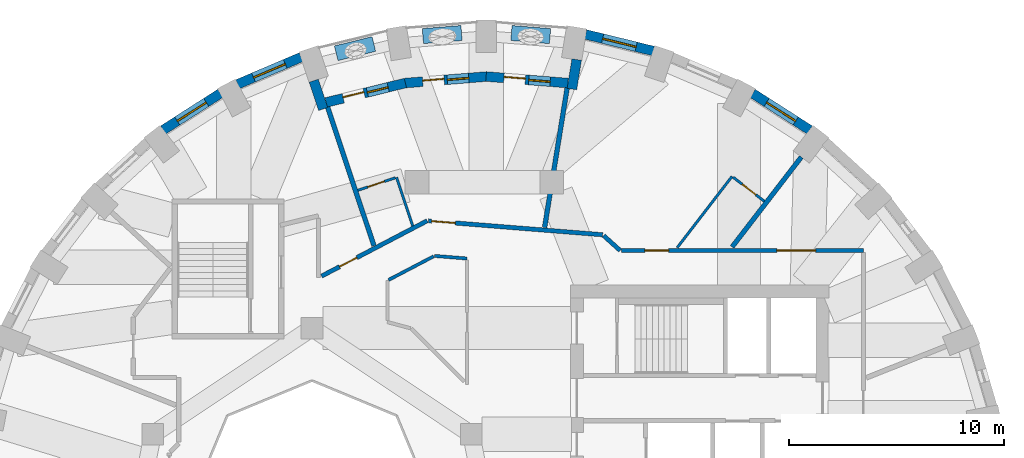
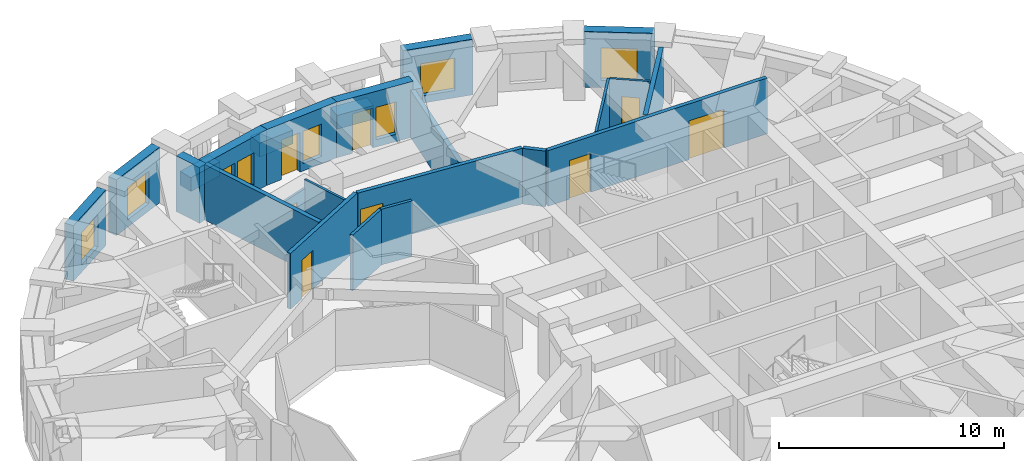
# One storey, part 7 of 11: 25 walls, 9 doors, 7 windows, 16 openings.
"""IFC4 building model written with IfcOpenShell, lengths in metres."""

from ifc_helpers import new_model, si_unit, direction, frame, frame_2d, origin, place, context, subcontext, project, spatial, rectangle, extrude, material, layer, layer_set, constituent, constituent_set, type_object, element, fill, save


model = new_model("IFC4")

# Units and contexts
model_context = context("Model", 3, precision=1e-05, world=origin(), true_north=direction((0.0, 1.0)))
body_context = subcontext(model_context, "Body", "Model", "MODEL_VIEW")
ifc_project = project(units=[si_unit("LENGTHUNIT", "METRE"), si_unit("AREAUNIT", "SQUARE_METRE"), si_unit("VOLUMEUNIT", "CUBIC_METRE"), si_unit("PLANEANGLEUNIT", "RADIAN"), si_unit("MASSUNIT", "GRAM", prefix="KILO")], contexts=[model_context])

# Site, building, storey
site_placement = place(None, origin())
site = spatial("IfcSite", under=ifc_project, at=site_placement, CompositionType="ELEMENT")
building_placement = place(site_placement, origin())
building = spatial("IfcBuilding", under=site, at=building_placement, Name="Taillehof Tower", CompositionType="ELEMENT")
storey_placement = place(building_placement, frame((0.0, 0.0, 174.800048828125)))
storey = spatial("IfcBuildingStorey", under=building, at=storey_placement, Name="L49", CompositionType="ELEMENT", Elevation=174.800048828125)

# Wall, opening, window
ifc_material_1 = material(Name="Brick masonry", Category="masonry")
ifc_layer_1 = layer(ifc_material_1, 0.449951171875)
ifc_layer_set_1 = layer_set([ifc_layer_1], Name="Brick infill wall 450")
wall_type_1 = type_object("IfcWallType", Name="Brick infill wall 450", PredefinedType="SOLIDWALL", material=ifc_layer_set_1)
wall_1_placement = place(storey_placement, frame((15.1083984375, 17.193359375, 0.0), z_axis=(0.0, 0.0, 1.0), x_axis=(-0.842030726237, 0.539429565442, 0.0)))
wall_1 = element("IfcWall", 1, at=wall_1_placement, inside=storey, type_object=wall_type_1, Name="Brick wall L49 bay 6", PredefinedType="SOLIDWALL", context=body_context, shape_type="SweptSolid", body=[
    extrude(rectangle(XDim=3.1513671875, YDim=0.449951171875, at=frame_2d((1.57568359375, 0.0))), origin(), (0.0, 0.0, 1.0), 3.02001953125),
])
opening_1_placement = place(wall_1_placement, frame((0.775634765625, 0.0, 0.39990234375)))
opening_1 = element("IfcOpeningElement", 2, at=opening_1_placement, cuts=wall_1, Name="Opening W3", PredefinedType="OPENING", context=body_context, shape_type="SweptSolid", body=[
    extrude(rectangle(XDim=1.60009765625, YDim=1.75, at=frame_2d((0.800048828125, 0.875))), frame((0.0, 0.23486328125, 0.0), z_axis=(0.0, -1.0, 0.0), x_axis=(1.0, 0.0, 0.0)), (0.0, 0.0, 1.0), 0.469970703125),
])
ifc_material_2 = material(Name="Aluminium window frame with clear double glazing", Category="aluminium")
window_type_1 = type_object("IfcWindowType", Name="Deep-set window 1600x1750", PartitioningType="SINGLE_PANEL", PredefinedType="WINDOW", material=ifc_material_2)
window_1_placement = place(opening_1_placement, origin())
window_1 = element("IfcWindow", 3, at=window_1_placement, inside=storey, type_object=window_type_1, Name="W3", OverallHeight=1.75, OverallWidth=1.60009765625, PartitioningType="SINGLE_PANEL", PredefinedType="WINDOW", context=body_context, shape_type="SweptSolid", body=[
    extrude(rectangle(XDim=1.60009765625, YDim=1.75, at=frame_2d((0.800048828125, 0.875))), frame((0.0, 0.034912109375, 0.0), z_axis=(0.0, -1.0, 0.0), x_axis=(1.0, 0.0, 0.0)), (0.0, 0.0, 1.0), 0.06005859375),
])
fill(opening_1, window_1)

wall_2_placement = place(storey_placement, frame((7.843017578125, 20.8623046875, 0.0), z_axis=(0.0, 0.0, 1.0), x_axis=(-0.971237178372, 0.238114139328, 0.0)))
wall_2 = element("IfcWall", 4, at=wall_2_placement, inside=storey, type_object=wall_type_1, Name="Brick wall L49 bay 8", PredefinedType="SOLIDWALL", context=body_context, shape_type="SweptSolid", body=[
    extrude(rectangle(XDim=3.23681640625, YDim=0.449951171875, at=frame_2d((1.618408203125, 0.0))), origin(), (0.0, 0.0, 1.0), 3.02001953125),
])
opening_2_placement = place(wall_2_placement, frame((0.818359375, 0.0, 0.39990234375)))
opening_2 = element("IfcOpeningElement", 5, at=opening_2_placement, cuts=wall_2, Name="Opening W3", PredefinedType="OPENING", context=body_context, shape_type="SweptSolid", body=[
    extrude(rectangle(XDim=1.60009765625, YDim=1.75, at=frame_2d((0.800048828125, 0.875))), frame((0.0, 0.23486328125, 0.0), z_axis=(0.0, -1.0, 0.0), x_axis=(1.0, 0.0, 0.0)), (0.0, 0.0, 1.0), 0.469970703125),
])
window_2_placement = place(opening_2_placement, origin())
window_2 = element("IfcWindow", 6, at=window_2_placement, inside=storey, type_object=window_type_1, Name="W3", OverallHeight=1.75, OverallWidth=1.60009765625, PartitioningType="SINGLE_PANEL", PredefinedType="WINDOW", context=body_context, shape_type="SweptSolid", body=[
    extrude(rectangle(XDim=1.60009765625, YDim=1.75, at=frame_2d((0.800048828125, 0.875))), frame((0.0, 0.034912109375, 0.0), z_axis=(0.0, -1.0, 0.0), x_axis=(1.0, 0.0, 0.0)), (0.0, 0.0, 1.0), 0.06005859375),
])
fill(opening_2, window_2)

wall_3_placement = place(storey_placement, frame((-8.50634765625, 20.574462890625, 0.0), z_axis=(0.0, 0.0, 1.0), x_axis=(-0.919798725687, -0.392390499663, 0.0)))
wall_3 = element("IfcWall", 7, at=wall_3_placement, inside=storey, type_object=wall_type_1, Name="Brick wall L49 bay 12", PredefinedType="SOLIDWALL", context=body_context, shape_type="SweptSolid", body=[
    extrude(rectangle(XDim=3.200439453125, YDim=0.449951171875, at=frame_2d((1.60009765625, 0.0))), origin(), (0.0, 0.0, 1.0), 3.02001953125),
])
opening_3_placement = place(wall_3_placement, frame((0.80029296875, 0.0, 0.39990234375)))
opening_3 = element("IfcOpeningElement", 8, at=opening_3_placement, cuts=wall_3, Name="Opening W3", PredefinedType="OPENING", context=body_context, shape_type="SweptSolid", body=[
    extrude(rectangle(XDim=1.60009765625, YDim=1.75, at=frame_2d((0.800048828125, 0.875))), frame((0.0, 0.23486328125, 0.0), z_axis=(0.0, -1.0, 0.0), x_axis=(1.0, 0.0, 0.0)), (0.0, 0.0, 1.0), 0.469970703125),
])
window_3_placement = place(opening_3_placement, origin())
window_3 = element("IfcWindow", 9, at=window_3_placement, inside=storey, type_object=window_type_1, Name="W3", OverallHeight=1.75, OverallWidth=1.60009765625, PartitioningType="SINGLE_PANEL", PredefinedType="WINDOW", context=body_context, shape_type="SweptSolid", body=[
    extrude(rectangle(XDim=1.60009765625, YDim=1.75, at=frame_2d((0.800048828125, 0.875))), frame((0.0, 0.034912109375, 0.0), z_axis=(0.0, -1.0, 0.0), x_axis=(1.0, 0.0, 0.0)), (0.0, 0.0, 1.0), 0.06005859375),
])
fill(opening_3, window_3)

wall_4_placement = place(storey_placement, frame((-12.2548828125, 18.893310546875, 0.0), z_axis=(0.0, 0.0, 1.0), x_axis=(-0.842030726237, -0.539429565442, 0.0)))
wall_4 = element("IfcWall", 10, at=wall_4_placement, inside=storey, type_object=wall_type_1, Name="Brick wall L49 bay 13", PredefinedType="SOLIDWALL", context=body_context, shape_type="SweptSolid", body=[
    extrude(rectangle(XDim=3.1513671875, YDim=0.449951171875, at=frame_2d((1.57568359375, 0.0))), origin(), (0.0, 0.0, 1.0), 3.02001953125),
])
opening_4_placement = place(wall_4_placement, frame((0.775634765625, 0.0, 0.39990234375)))
opening_4 = element("IfcOpeningElement", 11, at=opening_4_placement, cuts=wall_4, Name="Opening W3", PredefinedType="OPENING", context=body_context, shape_type="SweptSolid", body=[
    extrude(rectangle(XDim=1.60009765625, YDim=1.75, at=frame_2d((0.800048828125, 0.875))), frame((0.0, 0.23486328125, 0.0), z_axis=(0.0, -1.0, 0.0), x_axis=(1.0, 0.0, 0.0)), (0.0, 0.0, 1.0), 0.469970703125),
])
window_4_placement = place(opening_4_placement, origin())
window_4 = element("IfcWindow", 12, at=window_4_placement, inside=storey, type_object=window_type_1, Name="W3", OverallHeight=1.75, OverallWidth=1.60009765625, PartitioningType="SINGLE_PANEL", PredefinedType="WINDOW", context=body_context, shape_type="SweptSolid", body=[
    extrude(rectangle(XDim=1.60009765625, YDim=1.75, at=frame_2d((0.800048828125, 0.875))), frame((0.0, 0.034912109375, 0.0), z_axis=(0.0, -1.0, 0.0), x_axis=(1.0, 0.0, 0.0)), (0.0, 0.0, 1.0), 0.06005859375),
])
fill(opening_4, window_4)

# Walls
wall_5_placement = place(storey_placement, frame((4.2880859375, 20.4658203125, 0.0), z_axis=(0.0, 0.0, 1.0), x_axis=(-0.159668705775, -0.987170656166, 0.0)))
element("IfcWall", 13, at=wall_5_placement, inside=storey, type_object=wall_type_1, Name="Brick reveal L49 pocket 2", PredefinedType="SOLIDWALL", context=body_context, shape_type="SweptSolid", body=[
    extrude(rectangle(XDim=1.389892578125, YDim=0.449951171875, at=frame_2d((0.69482421875, 0.0))), origin(), (0.0, 0.0, 1.0), 2.570068359375),
])
wall_6_placement = place(storey_placement, frame((-7.921630859375, 19.486328125, 0.0), z_axis=(0.0, 0.0, 1.0), x_axis=(0.316649231286, -0.948542705589, 0.0)))
element("IfcWall", 14, at=wall_6_placement, inside=storey, type_object=wall_type_1, Name="Brick reveal L49 pocket 2", PredefinedType="SOLIDWALL", context=body_context, shape_type="SweptSolid", body=[
    extrude(rectangle(XDim=1.39013671875, YDim=0.449951171875, at=frame_2d((0.695068359375, 0.0))), origin(), (0.0, 0.0, 1.0), 3.02001953125),
])

# Wall, openings, door, window
wall_7_placement = place(storey_placement, frame((3.883056640625, 19.37060546875, 0.0), z_axis=(0.0, 0.0, 1.0), x_axis=(-0.996792437449, 0.080030223316, 0.0)))
wall_7 = element("IfcWall", 15, at=wall_7_placement, inside=storey, type_object=wall_type_1, Name="Brick wall L49 pocket bay 9", PredefinedType="SOLIDWALL", context=body_context, shape_type="SweptSolid", body=[
    extrude(rectangle(XDim=3.813232421875, YDim=0.449951171875, at=frame_2d((1.90673828125, 0.0))), origin(), (0.0, 0.0, 1.0), 3.02001953125),
])
opening_5_placement = place(wall_7_placement, frame((0.83154296875, 0.0, 0.39990234375)))
opening_5 = element("IfcOpeningElement", 16, at=opening_5_placement, cuts=wall_7, Name="Opening W5", PredefinedType="OPENING", context=body_context, shape_type="SweptSolid", body=[
    extrude(rectangle(XDim=1.0, YDim=1.75, at=frame_2d((0.5, 0.875))), frame((0.0, 0.23486328125, 0.0), z_axis=(0.0, -1.0, 0.0), x_axis=(1.0, 0.0, 0.0)), (0.0, 0.0, 1.0), 0.469970703125),
])
opening_6_placement = place(wall_7_placement, frame((1.981689453125, 0.0, 0.0)))
opening_6 = element("IfcOpeningElement", 17, at=opening_6_placement, cuts=wall_7, Name="Opening D4994", PredefinedType="OPENING", context=body_context, shape_type="SweptSolid", body=[
    extrude(rectangle(XDim=1.0, YDim=2.14990234375, at=frame_2d((0.5, 1.074951171875))), frame((0.0, 0.23486328125, 0.0), z_axis=(0.0, -1.0, 0.0), x_axis=(1.0, 0.0, 0.0)), (0.0, 0.0, 1.0), 0.469970703125),
])
ifc_material_3 = material(Name="Aluminium door frame with clear double glazing", Category="aluminium")
door_type_1 = type_object("IfcDoorType", Name="Balcony door 1000x2150", OperationType="SINGLE_SWING_RIGHT", PredefinedType="DOOR", material=ifc_material_3)
door_1_placement = place(opening_6_placement, frame((1.0, 0.0, 0.0), z_axis=(0.0, 0.0, 1.0), x_axis=(-1.0, 0.0, 0.0)))
door_1 = element("IfcDoor", 18, at=door_1_placement, inside=storey, type_object=door_type_1, Name="Balcony door L49 bay 9", OperationType="SINGLE_SWING_RIGHT", OverallHeight=2.14990234375, OverallWidth=1.0, PredefinedType="DOOR", context=body_context, shape_type="SweptSolid", body=[
    extrude(rectangle(XDim=1.0, YDim=2.14990234375, at=frame_2d((0.5, 1.074951171875))), frame((0.0, 0.0751953125, 0.0), z_axis=(0.0, -1.0, 0.0), x_axis=(1.0, 0.0, 0.0)), (0.0, 0.0, 1.0), 0.050048828125),
])
fill(opening_6, door_1)
ifc_material_4 = material(Name="Aluminium window frame with clear double glazing", Category="aluminium")
window_type_2 = type_object("IfcWindowType", Name="Fixed window 1000x1750", PartitioningType="SINGLE_PANEL", PredefinedType="WINDOW", material=ifc_material_4)
window_5_placement = place(opening_5_placement, origin())
window_5 = element("IfcWindow", 19, at=window_5_placement, inside=storey, type_object=window_type_2, Name="W5", OverallHeight=1.75, OverallWidth=1.0, PartitioningType="SINGLE_PANEL", PredefinedType="WINDOW", context=body_context, shape_type="SweptSolid", body=[
    extrude(rectangle(XDim=1.0, YDim=1.75, at=frame_2d((0.5, 0.875))), frame((0.0, 0.034912109375, 0.0), z_axis=(0.0, -1.0, 0.0), x_axis=(1.0, 0.0, 0.0)), (0.0, 0.0, 1.0), 0.06005859375),
])
fill(opening_5, window_5)

wall_8_placement = place(storey_placement, frame((0.117919921875, 19.67578125, 0.0), z_axis=(0.0, 0.0, 1.0), x_axis=(-0.996792139022, -0.080033940204, 0.0)))
wall_8 = element("IfcWall", 20, at=wall_8_placement, inside=storey, type_object=wall_type_1, Name="Brick wall L49 pocket bay 10", PredefinedType="SOLIDWALL", context=body_context, shape_type="SweptSolid", body=[
    extrude(rectangle(XDim=3.831298828125, YDim=0.449951171875, at=frame_2d((1.91552734375, 0.0))), origin(), (0.0, 0.0, 1.0), 3.02001953125),
])
opening_7_placement = place(wall_8_placement, frame((0.840576171875, 0.0, 0.39990234375)))
opening_7 = element("IfcOpeningElement", 21, at=opening_7_placement, cuts=wall_8, Name="Opening W5", PredefinedType="OPENING", context=body_context, shape_type="SweptSolid", body=[
    extrude(rectangle(XDim=1.0, YDim=1.75, at=frame_2d((0.5, 0.875))), frame((0.0, 0.23486328125, 0.0), z_axis=(0.0, -1.0, 0.0), x_axis=(1.0, 0.0, 0.0)), (0.0, 0.0, 1.0), 0.469970703125),
])
opening_8_placement = place(wall_8_placement, frame((1.99072265625, 0.0, 0.0)))
opening_8 = element("IfcOpeningElement", 22, at=opening_8_placement, cuts=wall_8, Name="Opening D4995", PredefinedType="OPENING", context=body_context, shape_type="SweptSolid", body=[
    extrude(rectangle(XDim=1.0, YDim=2.14990234375, at=frame_2d((0.5, 1.074951171875))), frame((0.0, 0.23486328125, 0.0), z_axis=(0.0, -1.0, 0.0), x_axis=(1.0, 0.0, 0.0)), (0.0, 0.0, 1.0), 0.469970703125),
])
door_2_placement = place(opening_8_placement, frame((1.0, 0.0, 0.0), z_axis=(0.0, 0.0, 1.0), x_axis=(-1.0, 0.0, 0.0)))
door_2 = element("IfcDoor", 23, at=door_2_placement, inside=storey, type_object=door_type_1, Name="Balcony door L49 bay 10", OperationType="SINGLE_SWING_LEFT", OverallHeight=2.14990234375, OverallWidth=1.0, PredefinedType="DOOR", context=body_context, shape_type="SweptSolid", body=[
    extrude(rectangle(XDim=1.0, YDim=2.14990234375, at=frame_2d((0.5, 1.074951171875))), frame((0.0, 0.0751953125, 0.0), z_axis=(0.0, -1.0, 0.0), x_axis=(1.0, 0.0, 0.0)), (0.0, 0.0, 1.0), 0.050048828125),
])
fill(opening_8, door_2)
window_6_placement = place(opening_7_placement, origin())
window_6 = element("IfcWindow", 24, at=window_6_placement, inside=storey, type_object=window_type_2, Name="W5", OverallHeight=1.75, OverallWidth=1.0, PartitioningType="SINGLE_PANEL", PredefinedType="WINDOW", context=body_context, shape_type="SweptSolid", body=[
    extrude(rectangle(XDim=1.0, YDim=1.75, at=frame_2d((0.5, 0.875))), frame((0.0, 0.034912109375, 0.0), z_axis=(0.0, -1.0, 0.0), x_axis=(1.0, 0.0, 0.0)), (0.0, 0.0, 1.0), 0.06005859375),
])
fill(opening_7, window_6)

wall_9_placement = place(storey_placement, frame((-3.665283203125, 19.375, 0.0), z_axis=(0.0, 0.0, 1.0), x_axis=(-0.97110866251, -0.238637728782, 0.0)))
wall_9 = element("IfcWall", 25, at=wall_9_placement, inside=storey, type_object=wall_type_1, Name="Brick wall L49 pocket bay 11", PredefinedType="SOLIDWALL", context=body_context, shape_type="SweptSolid", body=[
    extrude(rectangle(XDim=3.789306640625, YDim=0.449951171875, at=frame_2d((1.89453125, 0.0))), origin(), (0.0, 0.0, 1.0), 3.02001953125),
])
opening_9_placement = place(wall_9_placement, frame((0.81982421875, 0.0, 0.39990234375)))
opening_9 = element("IfcOpeningElement", 26, at=opening_9_placement, cuts=wall_9, Name="Opening W5", PredefinedType="OPENING", context=body_context, shape_type="SweptSolid", body=[
    extrude(rectangle(XDim=1.0, YDim=1.75, at=frame_2d((0.5, 0.875))), frame((0.0, 0.23486328125, 0.0), z_axis=(0.0, -1.0, 0.0), x_axis=(1.0, 0.0, 0.0)), (0.0, 0.0, 1.0), 0.469970703125),
])
opening_10_placement = place(wall_9_placement, frame((1.9697265625, 0.0, 0.0)))
opening_10 = element("IfcOpeningElement", 27, at=opening_10_placement, cuts=wall_9, Name="Opening D4996", PredefinedType="OPENING", context=body_context, shape_type="SweptSolid", body=[
    extrude(rectangle(XDim=1.0, YDim=2.14990234375, at=frame_2d((0.5, 1.074951171875))), frame((0.0, 0.23486328125, 0.0), z_axis=(0.0, -1.0, 0.0), x_axis=(1.0, 0.0, 0.0)), (0.0, 0.0, 1.0), 0.469970703125),
])
door_3_placement = place(opening_10_placement, frame((1.0, 0.0, 0.0), z_axis=(0.0, 0.0, 1.0), x_axis=(-1.0, 0.0, 0.0)))
door_3 = element("IfcDoor", 28, at=door_3_placement, inside=storey, type_object=door_type_1, Name="Balcony door L49 bay 11", OperationType="SINGLE_SWING_LEFT", OverallHeight=2.14990234375, OverallWidth=1.0, PredefinedType="DOOR", context=body_context, shape_type="SweptSolid", body=[
    extrude(rectangle(XDim=1.0, YDim=2.14990234375, at=frame_2d((0.5, 1.074951171875))), frame((0.0, 0.0751953125, 0.0), z_axis=(0.0, -1.0, 0.0), x_axis=(1.0, 0.0, 0.0)), (0.0, 0.0, 1.0), 0.050048828125),
])
fill(opening_10, door_3)
window_7_placement = place(opening_9_placement, origin())
window_7 = element("IfcWindow", 29, at=window_7_placement, inside=storey, type_object=window_type_2, Name="W5", OverallHeight=1.75, OverallWidth=1.0, PartitioningType="SINGLE_PANEL", PredefinedType="WINDOW", context=body_context, shape_type="SweptSolid", body=[
    extrude(rectangle(XDim=1.0, YDim=1.75, at=frame_2d((0.5, 0.875))), frame((0.0, 0.034912109375, 0.0), z_axis=(0.0, -1.0, 0.0), x_axis=(1.0, 0.0, 0.0)), (0.0, 0.0, 1.0), 0.06005859375),
])
fill(opening_9, window_7)

# Wall, opening, door
ifc_material_5 = material(Name="Gypsum board on steel studs, two layers each side", Category="steel")
ifc_layer_2 = layer(ifc_material_5, 0.199951171875)
ifc_layer_set_2 = layer_set([ifc_layer_2], Name="Compartment wall corridor 200")
wall_type_2 = type_object("IfcWallType", Name="Compartment wall corridor 200", PredefinedType="PARTITIONING", material=ifc_layer_set_2)
wall_10_placement = place(storey_placement, frame((-7.557373046875, 10.408935546875, 0.0), z_axis=(0.0, 0.0, 1.0), x_axis=(0.885861719566, 0.463949365565, 0.0)))
wall_10 = element("IfcWall", 30, at=wall_10_placement, inside=storey, type_object=wall_type_2, Name="Compartment wall", PredefinedType="PARTITIONING", context=body_context, shape_type="SweptSolid", body=[
    extrude(rectangle(XDim=5.54052734375, YDim=0.199951171875, at=frame_2d((2.770263671875, 0.0))), origin(), (0.0, 0.0, 1.0), 3.02001953125),
])
opening_11_placement = place(wall_10_placement, frame((0.949951171875, 0.0, 0.0)))
opening_11 = element("IfcOpeningElement", 31, at=opening_11_placement, cuts=wall_10, Name="Opening D4944", PredefinedType="OPENING", context=body_context, shape_type="SweptSolid", body=[
    extrude(rectangle(XDim=0.89990234375, YDim=2.10009765625, at=frame_2d((0.449951171875, 1.050048828125))), frame((0.0, 0.10986328125, 0.0), z_axis=(0.0, -1.0, 0.0), x_axis=(1.0, 0.0, 0.0)), (0.0, 0.0, 1.0), 0.219970703125),
])
ifc_material_6 = material(Name="Timber door leaf in steel frame", Category="steel")
door_type_2 = type_object("IfcDoorType", Name="Service room door EI 30 900 x 2100", OperationType="SINGLE_SWING_LEFT", PredefinedType="DOOR", material=ifc_material_6)
door_4_placement = place(opening_11_placement, origin())
door_4 = element("IfcDoor", 32, at=door_4_placement, inside=storey, type_object=door_type_2, Name="D4944", OperationType="SINGLE_SWING_RIGHT", OverallHeight=2.10009765625, OverallWidth=0.89990234375, PredefinedType="DOOR", context=body_context, shape_type="SweptSolid", body=[
    extrude(rectangle(XDim=0.89990234375, YDim=2.10009765625, at=frame_2d((0.449951171875, 1.050048828125))), frame((0.0, 0.02490234375, 0.0), z_axis=(0.0, -1.0, 0.0), x_axis=(1.0, 0.0, 0.0)), (0.0, 0.0, 1.0), 0.050048828125),
])
fill(opening_11, door_4)

wall_11_placement = place(storey_placement, frame((-2.589111328125, 12.974365234375, 0.0), z_axis=(0.0, 0.0, 1.0), x_axis=(0.996834299001, -0.079507108712, 0.0)))
wall_11 = element("IfcWall", 33, at=wall_11_placement, inside=storey, type_object=wall_type_2, Name="Compartment wall", PredefinedType="PARTITIONING", context=body_context, shape_type="SweptSolid", body=[
    extrude(rectangle(XDim=8.109619140625, YDim=0.199951171875, at=frame_2d((4.0546875, 0.0))), origin(), (0.0, 0.0, 1.0), 3.02001953125),
])
opening_12_placement = place(wall_11_placement, frame((0.139892578125, 0.0, 0.0)))
opening_12 = element("IfcOpeningElement", 34, at=opening_12_placement, cuts=wall_11, Name="Opening D4942", PredefinedType="OPENING", context=body_context, shape_type="SweptSolid", body=[
    extrude(rectangle(XDim=1.10009765625, YDim=2.10009765625, at=frame_2d((0.550048828125, 1.050048828125))), frame((0.0, 0.10986328125, 0.0), z_axis=(0.0, -1.0, 0.0), x_axis=(1.0, 0.0, 0.0)), (0.0, 0.0, 1.0), 0.219970703125),
])
ifc_material_7 = material(Name="Timber door leaf in steel frame", Category="steel")
door_type_3 = type_object("IfcDoorType", Name="Suite entrance door EI 30 1100 x 2100", OperationType="SINGLE_SWING_LEFT", PredefinedType="DOOR", material=ifc_material_7)
door_5_placement = place(opening_12_placement, origin())
door_5 = element("IfcDoor", 35, at=door_5_placement, inside=storey, type_object=door_type_3, Name="D4942", OperationType="SINGLE_SWING_LEFT", OverallHeight=2.10009765625, OverallWidth=1.10009765625, PredefinedType="DOOR", context=body_context, shape_type="SweptSolid", body=[
    extrude(rectangle(XDim=1.10009765625, YDim=2.10009765625, at=frame_2d((0.550048828125, 1.050048828125))), frame((0.0, 0.02490234375, 0.0), z_axis=(0.0, -1.0, 0.0), x_axis=(1.0, 0.0, 0.0)), (0.0, 0.0, 1.0), 0.050048828125),
])
fill(opening_12, door_5)

# Wall
wall_12_placement = place(storey_placement, frame((5.53955078125, 12.289306640625, 0.0), z_axis=(0.0, 0.0, 1.0), x_axis=(0.743647325452, -0.668572101832, 0.0)))
element("IfcWall", 36, at=wall_12_placement, inside=storey, type_object=wall_type_2, Name="Compartment wall", PredefinedType="PARTITIONING", context=body_context, shape_type="SweptSolid", body=[
    extrude(rectangle(XDim=1.03076171875, YDim=0.199951171875, at=frame_2d((0.515380859375, 0.0))), origin(), (0.0, 0.0, 1.0), 3.02001953125),
])

# Wall, openings, doors
wall_13_placement = place(storey_placement, frame((6.3662109375, 11.60009765625, 0.0), z_axis=(0.0, 0.0, 1.0), x_axis=(1.0, 0.0, 0.0)))
wall_13 = element("IfcWall", 37, at=wall_13_placement, inside=storey, type_object=wall_type_2, Name="Compartment wall", PredefinedType="PARTITIONING", context=body_context, shape_type="SweptSolid", body=[
    extrude(rectangle(XDim=11.23388671875, YDim=0.199951171875, at=frame_2d((5.616943359375, 0.0))), origin(), (0.0, 0.0, 1.0), 3.02001953125),
])
opening_13_placement = place(wall_13_placement, frame((1.086181640625, 0.0, 0.0)))
opening_13 = element("IfcOpeningElement", 38, at=opening_13_placement, cuts=wall_13, Name="Opening D4940", PredefinedType="OPENING", context=body_context, shape_type="SweptSolid", body=[
    extrude(rectangle(XDim=1.10009765625, YDim=2.10009765625, at=frame_2d((0.550048828125, 1.050048828125))), frame((0.0, 0.10986328125, 0.0), z_axis=(0.0, -1.0, 0.0), x_axis=(1.0, 0.0, 0.0)), (0.0, 0.0, 1.0), 0.219970703125),
])
opening_14_placement = place(wall_13_placement, frame((7.216064453125, 0.0, 0.0)))
opening_14 = element("IfcOpeningElement", 39, at=opening_14_placement, cuts=wall_13, Name="Opening D4954", PredefinedType="OPENING", context=body_context, shape_type="SweptSolid", body=[
    extrude(rectangle(XDim=1.800048828125, YDim=2.10009765625, at=frame_2d((0.89990234375, 1.050048828125))), frame((0.0, 0.10986328125, 0.0), z_axis=(0.0, -1.0, 0.0), x_axis=(1.0, 0.0, 0.0)), (0.0, 0.0, 1.0), 0.219970703125),
])
ifc_material_8 = material(Name="Timber door leaf in steel frame", Category="steel")
door_type_4 = type_object("IfcDoorType", Name="Lounge and meeting room double door EI 30 1800 x 2100", OperationType="SINGLE_SWING_LEFT", PredefinedType="DOOR", material=ifc_material_8)
door_6_placement = place(opening_14_placement, origin())
door_6 = element("IfcDoor", 40, at=door_6_placement, inside=storey, type_object=door_type_4, Name="D4954", OperationType="DOUBLE_DOOR_SINGLE_SWING", OverallHeight=2.10009765625, OverallWidth=1.800048828125, PredefinedType="DOOR", context=body_context, shape_type="SweptSolid", body=[
    extrude(rectangle(XDim=1.800048828125, YDim=2.10009765625, at=frame_2d((0.89990234375, 1.050048828125))), frame((0.0, 0.02490234375, 0.0), z_axis=(0.0, -1.0, 0.0), x_axis=(1.0, 0.0, 0.0)), (0.0, 0.0, 1.0), 0.050048828125),
])
fill(opening_14, door_6)
door_7_placement = place(opening_13_placement, origin())
door_7 = element("IfcDoor", 41, at=door_7_placement, inside=storey, type_object=door_type_3, Name="D4940", OperationType="SINGLE_SWING_RIGHT", OverallHeight=2.10009765625, OverallWidth=1.10009765625, PredefinedType="DOOR", context=body_context, shape_type="SweptSolid", body=[
    extrude(rectangle(XDim=1.10009765625, YDim=2.10009765625, at=frame_2d((0.550048828125, 1.050048828125))), frame((0.0, 0.02490234375, 0.0), z_axis=(0.0, -1.0, 0.0), x_axis=(1.0, 0.0, 0.0)), (0.0, 0.0, 1.0), 0.050048828125),
])
fill(opening_13, door_7)

# Walls
ifc_material_9 = material(Name="Gypsum board on double steel studs with mineral wool", Category="steel")
ifc_layer_3 = layer(ifc_material_9, 0.219970703125)
ifc_layer_set_3 = layer_set([ifc_layer_3], Name="Compartment wall guest room 220")
wall_type_3 = type_object("IfcWallType", Name="Compartment wall guest room 220", PredefinedType="PARTITIONING", material=ifc_layer_set_3)
wall_14_placement = place(storey_placement, frame((14.7158203125, 15.937255859375, 0.0), z_axis=(0.0, 0.0, 1.0), x_axis=(-0.61000193202, -0.792399926131, 0.0)))
element("IfcWall", 42, at=wall_14_placement, inside=storey, type_object=wall_type_3, Name="Compartment wall", PredefinedType="PARTITIONING", context=body_context, shape_type="SweptSolid", body=[
    extrude(rectangle(XDim=5.26708984375, YDim=0.219970703125, at=frame_2d((2.633544921875, 0.0))), origin(), (0.0, 0.0, 1.0), 3.02001953125),
])
wall_15_placement = place(storey_placement, frame((3.846923828125, 19.14794921875, 0.0), z_axis=(0.0, 0.0, 1.0), x_axis=(-0.159670729912, -0.987170328773, 0.0)))
element("IfcWall", 43, at=wall_15_placement, inside=storey, type_object=wall_type_3, Name="Compartment wall", PredefinedType="PARTITIONING", context=body_context, shape_type="SweptSolid", body=[
    extrude(rectangle(XDim=6.567138671875, YDim=0.219970703125, at=frame_2d((3.28369140625, 0.0))), origin(), (0.0, 0.0, 1.0), 2.570068359375),
])
wall_16_placement = place(storey_placement, frame((-7.27392578125, 18.25634765625, 0.0), z_axis=(0.0, 0.0, 1.0), x_axis=(0.316724121691, -0.948517701859, 0.0)))
element("IfcWall", 44, at=wall_16_placement, inside=storey, type_object=wall_type_3, Name="Compartment wall", PredefinedType="PARTITIONING", context=body_context, shape_type="SweptSolid", body=[
    extrude(rectangle(XDim=6.787109375, YDim=0.219970703125, at=frame_2d((3.3935546875, 0.0))), origin(), (0.0, 0.0, 1.0), 3.02001953125),
])
ifc_material_10 = material(Name="Gypsum board on steel studs, two layers each side", Category="steel")
ifc_layer_4 = layer(ifc_material_10, 0.14990234375)
ifc_layer_set_4 = layer_set([ifc_layer_4], Name="Compartment wall service room 150")
wall_type_4 = type_object("IfcWallType", Name="Compartment wall service room 150", PredefinedType="PARTITIONING", material=ifc_layer_set_4)
wall_17_placement = place(storey_placement, frame((-2.316162109375, 11.347900390625, 0.0), z_axis=(0.0, 0.0, 1.0), x_axis=(0.99682547828, -0.079617622742, 0.0)))
element("IfcWall", 45, at=wall_17_placement, inside=storey, type_object=wall_type_4, Name="Compartment wall", PredefinedType="PARTITIONING", context=body_context, shape_type="SweptSolid", body=[
    extrude(rectangle(XDim=1.52099609375, YDim=0.14990234375, at=frame_2d((0.760498046875, 0.0))), origin(), (0.0, 0.0, 1.0), 3.02001953125),
])
wall_18_placement = place(storey_placement, frame((-4.446533203125, 10.232177734375, 0.0), z_axis=(0.0, 0.0, 1.0), x_axis=(0.885843659857, 0.463983847016, 0.0)))
element("IfcWall", 46, at=wall_18_placement, inside=storey, type_object=wall_type_4, Name="Compartment wall", PredefinedType="PARTITIONING", context=body_context, shape_type="SweptSolid", body=[
    extrude(rectangle(XDim=2.36474609375, YDim=0.14990234375, at=frame_2d((1.182373046875, 0.0))), origin(), (0.0, 0.0, 1.0), 3.02001953125),
])
ifc_material_11 = material(Name="Gypsum board on steel studs, moisture resistant", Category="steel")
ifc_layer_5 = layer(ifc_material_11, 0.1201171875)
ifc_layer_set_5 = layer_set([ifc_layer_5], Name="En-suite wall 120")
wall_type_5 = type_object("IfcWallType", Name="En-suite wall 120", PredefinedType="PARTITIONING", material=ifc_layer_set_5)
wall_19_placement = place(storey_placement, frame((8.95458984375, 11.73193359375, 0.0), z_axis=(0.0, 0.0, 1.0), x_axis=(0.609996270026, 0.79240428479, 0.0)))
element("IfcWall", 47, at=wall_19_placement, inside=storey, type_object=wall_type_5, Name="En-suite wall", PredefinedType="PARTITIONING", context=body_context, shape_type="SweptSolid", body=[
    extrude(rectangle(XDim=4.17333984375, YDim=0.1201171875, at=frame_2d((2.086669921875, 0.0))), origin(), (0.0, 0.0, 1.0), 3.02001953125),
])
wall_20_placement = place(storey_placement, frame((-3.3232421875, 12.739501953125, 0.0), z_axis=(0.0, 0.0, 1.0), x_axis=(-0.316720994124, 0.948518746194, 0.0)))
element("IfcWall", 48, at=wall_20_placement, inside=storey, type_object=wall_type_5, Name="En-suite wall", PredefinedType="PARTITIONING", context=body_context, shape_type="SweptSolid", body=[
    extrude(rectangle(XDim=2.375732421875, YDim=0.1201171875, at=frame_2d((1.18798828125, 0.0))), origin(), (0.0, 0.0, 1.0), 3.02001953125),
])

# Wall, opening, door
wall_21_placement = place(storey_placement, frame((11.5478515625, 15.002197265625, 0.0), z_axis=(0.0, 0.0, 1.0), x_axis=(0.792445416108, -0.609942835428, 0.0)))
wall_21 = element("IfcWall", 49, at=wall_21_placement, inside=storey, type_object=wall_type_5, Name="En-suite wall", PredefinedType="PARTITIONING", context=body_context, shape_type="SweptSolid", body=[
    extrude(rectangle(XDim=1.830078125, YDim=0.1201171875, at=frame_2d((0.9150390625, 0.0))), origin(), (0.0, 0.0, 1.0), 3.02001953125),
])
opening_15_placement = place(wall_21_placement, frame((0.5400390625, 0.0, 0.0)))
opening_15 = element("IfcOpeningElement", 50, at=opening_15_placement, cuts=wall_21, Name="Opening D4941", PredefinedType="OPENING", context=body_context, shape_type="SweptSolid", body=[
    extrude(rectangle(XDim=0.800048828125, YDim=2.10009765625, at=frame_2d((0.39990234375, 1.050048828125))), frame((0.0, 0.070068359375, 0.0), z_axis=(0.0, -1.0, 0.0), x_axis=(1.0, 0.0, 0.0)), (0.0, 0.0, 1.0), 0.14013671875),
])
ifc_material_12 = material(Name="Timber door leaf in steel frame", Category="steel")
door_type_5 = type_object("IfcDoorType", Name="En-suite door 800 x 2100", OperationType="SINGLE_SWING_LEFT", PredefinedType="DOOR", material=ifc_material_12)
door_8_placement = place(opening_15_placement, origin())
door_8 = element("IfcDoor", 51, at=door_8_placement, inside=storey, type_object=door_type_5, Name="D4941", OperationType="SINGLE_SWING_RIGHT", OverallHeight=2.10009765625, OverallWidth=0.800048828125, PredefinedType="DOOR", context=body_context, shape_type="SweptSolid", body=[
    extrude(rectangle(XDim=0.800048828125, YDim=2.10009765625, at=frame_2d((0.39990234375, 1.050048828125))), frame((0.0, 0.02490234375, 0.0), z_axis=(0.0, -1.0, 0.0), x_axis=(1.0, 0.0, 0.0)), (0.0, 0.0, 1.0), 0.050048828125),
])
fill(opening_15, door_8)

wall_22_placement = place(storey_placement, frame((-4.132568359375, 14.973876953125, 0.0), z_axis=(0.0, 0.0, 1.0), x_axis=(-0.9485230882, -0.31670799035, 0.0)))
wall_22 = element("IfcWall", 52, at=wall_22_placement, inside=storey, type_object=wall_type_5, Name="En-suite wall", PredefinedType="PARTITIONING", context=body_context, shape_type="SweptSolid", body=[
    extrude(rectangle(XDim=1.830078125, YDim=0.1201171875, at=frame_2d((0.9150390625, 0.0))), origin(), (0.0, 0.0, 1.0), 2.570068359375),
])
opening_16_placement = place(wall_22_placement, frame((0.5400390625, 0.0, 0.0)))
opening_16 = element("IfcOpeningElement", 53, at=opening_16_placement, cuts=wall_22, Name="Opening D4943", PredefinedType="OPENING", context=body_context, shape_type="SweptSolid", body=[
    extrude(rectangle(XDim=0.800048828125, YDim=2.10009765625, at=frame_2d((0.39990234375, 1.050048828125))), frame((0.0, 0.070068359375, 0.0), z_axis=(0.0, -1.0, 0.0), x_axis=(1.0, 0.0, 0.0)), (0.0, 0.0, 1.0), 0.14013671875),
])
door_9_placement = place(opening_16_placement, origin())
door_9 = element("IfcDoor", 54, at=door_9_placement, inside=storey, type_object=door_type_5, Name="D4943", OperationType="SINGLE_SWING_LEFT", OverallHeight=2.10009765625, OverallWidth=0.800048828125, PredefinedType="DOOR", context=body_context, shape_type="SweptSolid", body=[
    extrude(rectangle(XDim=0.800048828125, YDim=2.10009765625, at=frame_2d((0.39990234375, 1.050048828125))), frame((0.0, 0.02490234375, 0.0), z_axis=(0.0, -1.0, 0.0), x_axis=(1.0, 0.0, 0.0)), (0.0, 0.0, 1.0), 0.050048828125),
])
fill(opening_16, door_9)

# Walls
ifc_material_13 = material(Name="Concrete C30/37 precast", Category="concrete")
ifc_constituent_1 = constituent(ifc_material_13, Name="Structure", Category="concrete")
ifc_material_14 = material(Name="Insulated lining")
ifc_constituent_2 = constituent(ifc_material_14, Name="Lining")
ifc_constituent_set = constituent_set(constituents=[ifc_constituent_1, ifc_constituent_2], Name="Planter trough 700x750")
wall_type_6 = type_object("IfcWallType", Name="Planter trough 700x750", PredefinedType="USERDEFINED", material=ifc_constituent_set)
for number, where, z_axis, x_axis, name in (
    (55, (3.05224609375, 21.552001953125, 0.0), (0.0, 0.0, 1.0), (-0.996803623311, 0.079890778899, 0.0), "Planter L49 bay 9"),
    (56, (-1.05810546875, 21.69580078125, 0.0), (0.0, 0.0, 1.0), (-0.996803623311, -0.079890778899, 0.0), "Planter L49 bay 10"),
    (57, (-5.129150390625, 21.18505859375, 0.0), (0.0, 0.0, 1.0), (-0.971257007956, -0.238033242419, 0.0), "Planter L49 bay 11"),
):
    element("IfcWall", number, at=place(storey_placement, frame(where, z_axis=z_axis, x_axis=x_axis)), inside=storey, type_object=wall_type_6, Name=name, ObjectType="PLANTER", PredefinedType="USERDEFINED", context=body_context, shape_type="SweptSolid", body=[
        extrude(rectangle(XDim=1.800048828125, YDim=0.699951171875, at=frame_2d((0.89990234375, 0.0))), origin(), (0.0, 0.0, 1.0), 0.75),
    ])

save(model, "model.ifc")
